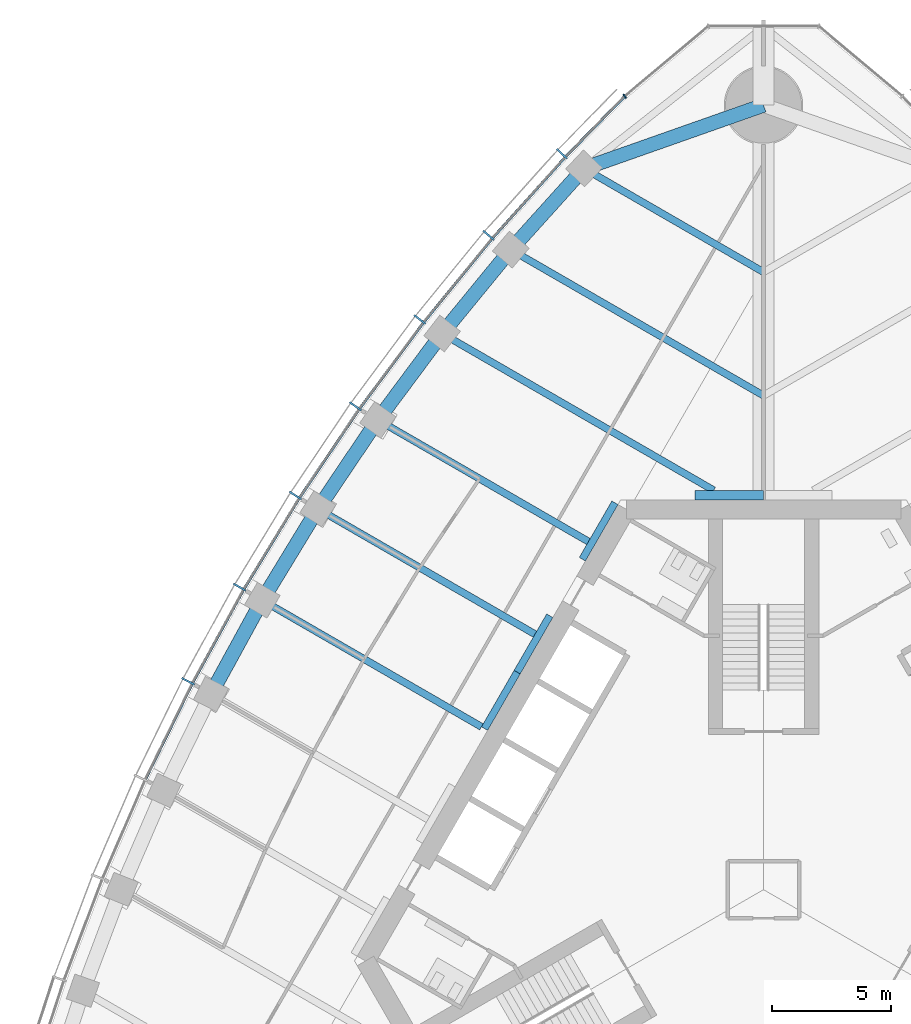
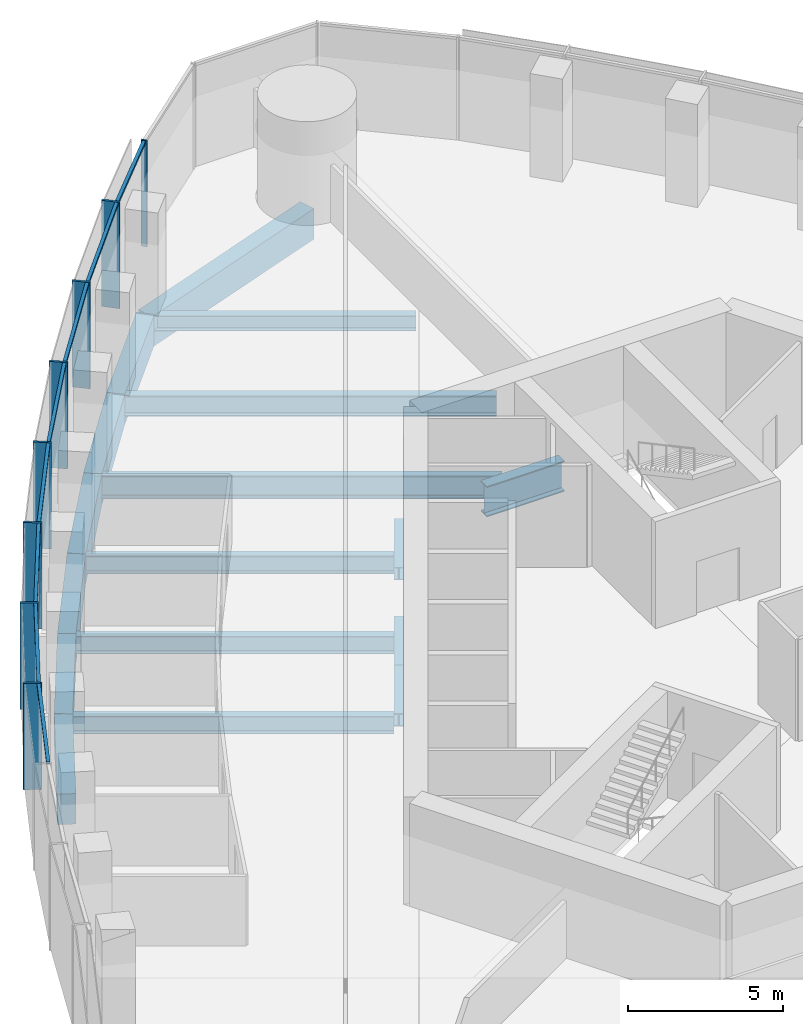
# One storey, part 5 of 20: 17 beams, 16 members, 2 elements without a shape of their own.
"""IFC4 building model written with IfcOpenShell, lengths in metres."""

from ifc_helpers import new_model, si_unit, direction, frame, origin, origin_2d, place, context, subcontext, project, spatial, rectangle, i_section, extrude, material, material_profile, profile_set, type_object, element, aggregate, save


model = new_model("IFC4")

# Units and contexts
model_context = context("Model", 3, precision=1e-05, world=origin(), true_north=direction((0.0, 1.0)))
body_context = subcontext(model_context, "Body", "Model", "MODEL_VIEW")
ifc_project = project(units=[si_unit("LENGTHUNIT", "METRE"), si_unit("AREAUNIT", "SQUARE_METRE"), si_unit("VOLUMEUNIT", "CUBIC_METRE"), si_unit("PLANEANGLEUNIT", "RADIAN"), si_unit("MASSUNIT", "GRAM", prefix="KILO")], contexts=[model_context])

# Site, building, storey
site_placement = place(None, origin())
site = spatial("IfcSite", under=ifc_project, at=site_placement, CompositionType="ELEMENT")
building_placement = place(site_placement, origin())
building = spatial("IfcBuilding", under=site, at=building_placement, Name="Trefoil Bronze Tower", CompositionType="ELEMENT")
storey_placement = place(building_placement, frame((0.0, 0.0, 214.89990234375)))
storey = spatial("IfcBuildingStorey", under=building, at=storey_placement, Name="L49", CompositionType="ELEMENT", Elevation=214.89990234375)

# Curtain wall, members
ifc_material_1 = material(Name="Tinted solar-control glass", Category="glass")
curtain_wall_type_1 = type_object("IfcCurtainWallType", Name="Bronze office curtain wall", PredefinedType="USERDEFINED", material=ifc_material_1)
curtain_wall_1_placement = place(storey_placement, origin())
curtain_wall_1 = element("IfcCurtainWall", 1, at=curtain_wall_1_placement, inside=storey, type_object=curtain_wall_type_1, Name="CW-A L49 F3", ObjectType="CURTAIN WALL", PredefinedType="USERDEFINED")
ifc_material_2 = material(Name="Bronze-finish aluminium", Category="aluminium")
ifc_material_profile_1 = material_profile(ifc_material_2, rectangle(XDim=0.60009765625, YDim=0.080078125, at=origin_2d()), Name="CW-A mullion")
ifc_profile_set_1 = profile_set([ifc_material_profile_1], Name="Bronze-finish aluminium")
member_type_1 = type_object("IfcMemberType", Name="Bronze office curtain wall mullion", PredefinedType="MULLION", material=ifc_profile_set_1)
member_1_placement = place(storey_placement, frame((-8.482177734375, 30.95654296875, 0.0), z_axis=(0.0, 0.0, 1.0), x_axis=(0.729859580661, -0.683597098091, 0.0)))
member_1 = element("IfcMember", 2, at=member_1_placement, type_object=member_type_1, Name="CW-A L49 F3 mullion 2", PredefinedType="MULLION", context=body_context, shape_type="SweptSolid", body=[
    extrude(rectangle(XDim=0.60009765625, YDim=0.080078125, at=origin_2d()), origin(), (0.0, 0.0, 1.0), 4.18017578125),
])
member_2_placement = place(storey_placement, frame((-11.564697265625, 27.525146484375, 0.0), z_axis=(0.0, 0.0, 1.0), x_axis=(0.75935470958, -0.650676897576, 0.0)))
member_2 = element("IfcMember", 3, at=member_2_placement, type_object=member_type_1, Name="CW-A L49 F3 mullion 3", PredefinedType="MULLION", context=body_context, shape_type="SweptSolid", body=[
    extrude(rectangle(XDim=0.60009765625, YDim=0.080078125, at=origin_2d()), origin(), (0.0, 0.0, 1.0), 4.18017578125),
])
member_3_placement = place(storey_placement, frame((-14.45849609375, 23.98388671875, 0.0), z_axis=(0.0, 0.0, 1.0), x_axis=(0.788821461078, -0.614622406476, 0.0)))
member_3 = element("IfcMember", 4, at=member_3_placement, type_object=member_type_1, Name="CW-A L49 F3 mullion 4", PredefinedType="MULLION", context=body_context, shape_type="SweptSolid", body=[
    extrude(rectangle(XDim=0.60009765625, YDim=0.080078125, at=origin_2d()), origin(), (0.0, 0.0, 1.0), 4.18017578125),
])
member_4_placement = place(storey_placement, frame((-17.167236328125, 20.335693359375, 0.0), z_axis=(0.0, 0.0, 1.0), x_axis=(0.81640398396, -0.577481198806, 0.0)))
member_4 = element("IfcMember", 5, at=member_4_placement, type_object=member_type_1, Name="CW-A L49 F3 mullion 5", PredefinedType="MULLION", context=body_context, shape_type="SweptSolid", body=[
    extrude(rectangle(XDim=0.60009765625, YDim=0.080078125, at=origin_2d()), origin(), (0.0, 0.0, 1.0), 4.18017578125),
])
member_5_placement = place(storey_placement, frame((-19.694091796875, 16.58251953125, 0.0), z_axis=(0.0, 0.0, 1.0), x_axis=(0.842132664593, -0.539270410114, 0.0)))
member_5 = element("IfcMember", 6, at=member_5_placement, type_object=member_type_1, Name="CW-A L49 F3 mullion 6", PredefinedType="MULLION", context=body_context, shape_type="SweptSolid", body=[
    extrude(rectangle(XDim=0.60009765625, YDim=0.080078125, at=origin_2d()), origin(), (0.0, 0.0, 1.0), 4.18017578125),
])
member_6_placement = place(storey_placement, frame((-22.041015625, 12.725341796875, 0.0), z_axis=(0.0, 0.0, 1.0), x_axis=(0.866025403784, -0.5, 0.0)))
member_6 = element("IfcMember", 7, at=member_6_placement, type_object=member_type_1, Name="CW-A L49 F3 mullion 7", PredefinedType="MULLION", context=body_context, shape_type="SweptSolid", body=[
    extrude(rectangle(XDim=0.60009765625, YDim=0.080078125, at=origin_2d()), origin(), (0.0, 0.0, 1.0), 4.18017578125),
])
member_7_placement = place(storey_placement, frame((-24.2080078125, 8.764404296875, 0.0), z_axis=(0.0, 0.0, 1.0), x_axis=(0.888088206965, -0.459673075837, 0.0)))
member_7 = element("IfcMember", 8, at=member_7_placement, type_object=member_type_1, Name="CW-A L49 F3 mullion 8", PredefinedType="MULLION", context=body_context, shape_type="SweptSolid", body=[
    extrude(rectangle(XDim=0.60009765625, YDim=0.080078125, at=origin_2d()), origin(), (0.0, 0.0, 1.0), 4.18017578125),
])
ifc_material_3 = material(Name="Bronze-finish aluminium", Category="aluminium")
ifc_material_profile_2 = material_profile(ifc_material_3, rectangle(XDim=0.1201171875, YDim=0.10009765625, at=origin_2d()), Name="CW-A transom")
ifc_profile_set_2 = profile_set([ifc_material_profile_2], Name="Bronze-finish aluminium")
member_type_2 = type_object("IfcMemberType", Name="Bronze office curtain wall transom", PredefinedType="USERDEFINED", material=ifc_profile_set_2)
member_8_placement = place(storey_placement, frame((-5.873046875, 33.342529296875, 4.130126953125), z_axis=(-0.698646935368, -0.715466602785, 0.0), x_axis=(0.715466602785, -0.698646935368, 0.0)))
member_8 = element("IfcMember", 9, at=member_8_placement, type_object=member_type_2, Name="CW-A L49 F3 transom 1", ObjectType="TRANSOM", PredefinedType="USERDEFINED", context=body_context, shape_type="SweptSolid", body=[
    extrude(rectangle(XDim=0.1201171875, YDim=0.10009765625, at=origin_2d()), origin(), (0.0, 0.0, 1.0), 3.483642578125),
])
member_9_placement = place(storey_placement, frame((-8.364501953125, 30.78857421875, 4.130126953125), z_axis=(-0.66825109551, -0.743935799213, 0.0), x_axis=(0.743935799213, -0.66825109551, 0.0)))
member_9 = element("IfcMember", 10, at=member_9_placement, type_object=member_type_2, Name="CW-A L49 F3 transom 2", ObjectType="TRANSOM", PredefinedType="USERDEFINED", context=body_context, shape_type="SweptSolid", body=[
    extrude(rectangle(XDim=0.1201171875, YDim=0.10009765625, at=origin_2d()), origin(), (0.0, 0.0, 1.0), 4.519287109375),
])
member_10_placement = place(storey_placement, frame((-11.439453125, 27.3623046875, 4.130126953125), z_axis=(-0.632756871921, -0.774350528531, 0.0), x_axis=(0.774350528531, -0.632756871921, 0.0)))
member_10 = element("IfcMember", 11, at=member_10_placement, type_object=member_type_2, Name="CW-A L49 F3 transom 3", ObjectType="TRANSOM", PredefinedType="USERDEFINED", context=body_context, shape_type="SweptSolid", body=[
    extrude(rectangle(XDim=0.1201171875, YDim=0.10009765625, at=origin_2d()), origin(), (0.0, 0.0, 1.0), 4.4794921875),
])
member_11_placement = place(storey_placement, frame((-14.325927734375, 23.826904296875, 4.130126953125), z_axis=(-0.59614822717, -0.802874393191, 0.0), x_axis=(0.802874393191, -0.59614822717, 0.0)))
member_11 = element("IfcMember", 12, at=member_11_placement, type_object=member_type_2, Name="CW-A L49 F3 transom 4", ObjectType="TRANSOM", PredefinedType="USERDEFINED", context=body_context, shape_type="SweptSolid", body=[
    extrude(rectangle(XDim=0.1201171875, YDim=0.10009765625, at=origin_2d()), origin(), (0.0, 0.0, 1.0), 4.449951171875),
])
member_12_placement = place(storey_placement, frame((-17.027587890625, 20.18505859375, 4.130126953125), z_axis=(-0.558509087547, -0.829498402125, 0.0), x_axis=(0.829498402125, -0.558509087547, 0.0)))
member_12 = element("IfcMember", 13, at=member_12_placement, type_object=member_type_2, Name="CW-A L49 F3 transom 5", ObjectType="TRANSOM", PredefinedType="USERDEFINED", context=body_context, shape_type="SweptSolid", body=[
    extrude(rectangle(XDim=0.1201171875, YDim=0.10009765625, at=origin_2d()), origin(), (0.0, 0.0, 1.0), 4.4306640625),
])
member_13_placement = place(storey_placement, frame((-19.5478515625, 16.4384765625, 4.130126953125), z_axis=(-0.519740214649, -0.854324358354, 0.0), x_axis=(0.854324358354, -0.519740214649, 0.0)))
member_13 = element("IfcMember", 14, at=member_13_placement, type_object=member_type_2, Name="CW-A L49 F3 transom 6", ObjectType="TRANSOM", PredefinedType="USERDEFINED", context=body_context, shape_type="SweptSolid", body=[
    extrude(rectangle(XDim=0.1201171875, YDim=0.10009765625, at=origin_2d()), origin(), (0.0, 0.0, 1.0), 4.421142578125),
])
member_14_placement = place(storey_placement, frame((-21.887939453125, 12.588134765625, 4.130126953125), z_axis=(-0.479973729071, -0.877282861683, 0.0), x_axis=(0.877282861683, -0.479973729071, 0.0)))
member_14 = element("IfcMember", 15, at=member_14_placement, type_object=member_type_2, Name="CW-A L49 F3 transom 7", ObjectType="TRANSOM", PredefinedType="USERDEFINED", context=body_context, shape_type="SweptSolid", body=[
    extrude(rectangle(XDim=0.1201171875, YDim=0.10009765625, at=origin_2d()), origin(), (0.0, 0.0, 1.0), 4.421142578125),
])
member_15_placement = place(storey_placement, frame((-24.048828125, 8.634521484375, 4.130126953125), z_axis=(-0.439150835991, -0.898413347657, 0.0), x_axis=(0.898413347657, -0.439150835991, 0.0)))
member_15 = element("IfcMember", 16, at=member_15_placement, type_object=member_type_2, Name="CW-A L49 F3 transom 8", ObjectType="TRANSOM", PredefinedType="USERDEFINED", context=body_context, shape_type="SweptSolid", body=[
    extrude(rectangle(XDim=0.1201171875, YDim=0.10009765625, at=origin_2d()), origin(), (0.0, 0.0, 1.0), 4.430908203125),
])
aggregate(curtain_wall_1, [member_1, member_2, member_3, member_4, member_5, member_6, member_7, member_8, member_9, member_10, member_11, member_12, member_13, member_14, member_15])

# Curtain wall, member
ifc_material_4 = material(Name="Tinted solar-control glass", Category="glass")
curtain_wall_type_2 = type_object("IfcCurtainWallType", Name="Bronze rounded corner curtain wall", PredefinedType="USERDEFINED", material=ifc_material_4)
curtain_wall_2_placement = place(storey_placement, origin())
curtain_wall_2 = element("IfcCurtainWall", 17, at=curtain_wall_2_placement, inside=storey, type_object=curtain_wall_type_2, Name="CW-B L49 K2", ObjectType="CURTAIN WALL", PredefinedType="USERDEFINED")
ifc_material_5 = material(Name="Bronze-finish aluminium", Category="aluminium")
ifc_material_profile_3 = material_profile(ifc_material_5, rectangle(XDim=0.199951171875, YDim=0.06005859375, at=origin_2d()), Name="CW-B mullion")
ifc_profile_set_3 = profile_set([ifc_material_profile_3], Name="Bronze-finish aluminium")
member_type_3 = type_object("IfcMemberType", Name="Bronze rounded corner curtain wall mullion", PredefinedType="MULLION", material=ifc_profile_set_3)
member_16_placement = place(storey_placement, frame((-5.837890625, 33.3779296875, 0.0), z_axis=(0.0, 0.0, 1.0), x_axis=(0.642787609687, -0.766044443119, 0.0)))
member_16 = element("IfcMember", 18, at=member_16_placement, type_object=member_type_3, Name="CW-B L49 K2 mullion 4", PredefinedType="MULLION", context=body_context, shape_type="SweptSolid", body=[
    extrude(rectangle(XDim=0.199951171875, YDim=0.06005859375, at=origin_2d()), origin(), (0.0, 0.0, 1.0), 4.18017578125),
])
aggregate(curtain_wall_2, [member_16])

# Beams
ifc_material_6 = material(Name="Steel C355", Category="steel")
ifc_material_profile_4 = material_profile(ifc_material_6, i_section(OverallWidth=0.300048828125, OverallDepth=0.5, WebThickness=0.014404296875, FlangeThickness=0.028076171875, FilletRadius=0.027099609375, at=origin_2d()), Name="HEB 500")
ifc_profile_set_4 = profile_set([ifc_material_profile_4], Name="Steel C355")
beam_type_1 = type_object("IfcBeamType", Name="Core seat beam HEB 500", PredefinedType="BEAM", material=ifc_profile_set_4)
for number, where, z_axis, x_axis, name in (
    (19, (-6.249755859375, 16.27490234375, -0.449951171875), (-0.500035825175, -0.866004719122, 0.0), (0.866004719122, -0.500035825175, 0.0), "Core seat beam F3/-2 L49"),
    (20, (-8.9921875, 11.52490234375, -0.449951171875), (-0.500035825175, -0.866004719122, 0.0), (0.866004719122, -0.500035825175, 0.0), "Core seat beam F3/-1 L49"),
    (21, (-10.363525390625, 9.14990234375, -0.449951171875), (-0.499969057507, -0.866043267704, 0.0), (0.866043267704, -0.499969057507, 0.0), "Core seat beam F3/+0 L49"),
):
    element("IfcBeam", number, at=place(storey_placement, frame(where, z_axis=z_axis, x_axis=x_axis)), inside=storey, type_object=beam_type_1, Name=name, PredefinedType="BEAM", context=body_context, shape_type="SweptSolid", body=[
        extrude(i_section(OverallWidth=0.300048828125, OverallDepth=0.5, WebThickness=0.014404296875, FlangeThickness=0.028076171875, FilletRadius=0.027099609375, at=origin_2d()), origin(), (0.0, 0.0, 1.0), 2.742431640625),
    ])
ifc_material_7 = material(Name="Steel C355", Category="steel")
ifc_material_profile_5 = material_profile(ifc_material_7, i_section(OverallWidth=0.39990234375, OverallDepth=1.199951171875, WebThickness=0.02001953125, FlangeThickness=0.0400390625, FilletRadius=0.010009765625, at=origin_2d()), Name="WPG 1200")
ifc_profile_set_5 = profile_set([ifc_material_profile_5], Name="Steel C355")
beam_type_2 = type_object("IfcBeamType", Name="Core seat beam WPG 1200", PredefinedType="BEAM", material=ifc_profile_set_5)
beam_1_placement = place(storey_placement, frame((0.0, 16.60009765625, -0.7998046875), z_axis=(-1.0, 0.0, 0.0), x_axis=(0.0, -1.0, 0.0)))
element("IfcBeam", 22, at=beam_1_placement, inside=storey, type_object=beam_type_2, Name="Core seat beam F3/-3 L49", PredefinedType="BEAM", context=body_context, shape_type="SweptSolid", body=[
    extrude(i_section(OverallWidth=0.39990234375, OverallDepth=1.199951171875, WebThickness=0.02001953125, FlangeThickness=0.0400390625, FilletRadius=0.010009765625, at=origin_2d()), origin(), (0.0, 0.0, 1.0), 2.88671875),
])
ifc_material_8 = material(Name="Concrete B80", Category="concrete")
ifc_material_profile_6 = material_profile(ifc_material_8, rectangle(XDim=0.60009765625, YDim=1.199951171875, at=origin_2d()), Name="RC 600x1200")
ifc_profile_set_6 = profile_set([ifc_material_profile_6], Name="Concrete B80")
beam_type_3 = type_object("IfcBeamType", Name="End spandrel beam RC 600x1200", PredefinedType="SPANDREL", material=ifc_profile_set_6)
beam_2_placement = place(storey_placement, frame((0.0, 33.0, -0.7998046875), z_axis=(-0.943234397359, -0.332127794137, 0.0), x_axis=(0.332127794137, -0.943234397359, 0.0)))
element("IfcBeam", 23, at=beam_2_placement, inside=storey, type_object=beam_type_3, Name="Spandrel F3.1 L49", PredefinedType="SPANDREL", context=body_context, shape_type="SweptSolid", body=[
    extrude(rectangle(XDim=0.60009765625, YDim=1.199951171875, at=origin_2d()), origin(), (0.0, 0.0, 1.0), 8.006591796875),
])
ifc_material_9 = material(Name="Steel C355", Category="steel")
ifc_material_profile_7 = material_profile(ifc_material_9, i_section(OverallWidth=0.300048828125, OverallDepth=0.590087890625, WebThickness=0.012939453125, FlangeThickness=0.02490234375, FilletRadius=0.027099609375, at=origin_2d()), Name="HEA 600")
ifc_profile_set_7 = profile_set([ifc_material_profile_7], Name="Steel C355")
beam_type_4 = type_object("IfcBeamType", Name="Floor beam HEA 600", PredefinedType="BEAM", material=ifc_profile_set_7)
beam_3_placement = place(storey_placement, frame((-7.552001953125, 30.3408203125, -0.494873046875), z_axis=(0.866027535932, -0.499996306993, 0.0), x_axis=(0.499996306993, 0.866027535932, 0.0)))
element("IfcBeam", 24, at=beam_3_placement, inside=storey, type_object=beam_type_4, Name="Floor beam F3/-5 L49", PredefinedType="BEAM", context=body_context, shape_type="SweptSolid", body=[
    extrude(i_section(OverallWidth=0.300048828125, OverallDepth=0.590087890625, WebThickness=0.012939453125, FlangeThickness=0.02490234375, FilletRadius=0.027099609375, at=origin_2d()), origin(), (0.0, 0.0, 1.0), 8.72021484375),
])
ifc_material_10 = material(Name="Steel C355", Category="steel")
ifc_material_profile_8 = material_profile(ifc_material_10, i_section(OverallWidth=0.300048828125, OverallDepth=0.699951171875, WebThickness=0.01708984375, FlangeThickness=0.031982421875, FilletRadius=0.027099609375, at=origin_2d()), Name="HEB 700")
ifc_profile_set_8 = profile_set([ifc_material_profile_8], Name="Steel C355")
beam_type_5 = type_object("IfcBeamType", Name="Floor beam HEB 700", PredefinedType="BEAM", material=ifc_profile_set_8)
beam_4_placement = place(storey_placement, frame((-16.2265625, 19.7607421875, -0.5498046875), z_axis=(0.866027856548, -0.499995751665, 0.0), x_axis=(0.499995751665, 0.866027856548, 0.0)))
element("IfcBeam", 25, at=beam_4_placement, inside=storey, type_object=beam_type_5, Name="Floor beam F3/-2 L49", PredefinedType="BEAM", context=body_context, shape_type="SweptSolid", body=[
    extrude(i_section(OverallWidth=0.300048828125, OverallDepth=0.699951171875, WebThickness=0.01708984375, FlangeThickness=0.031982421875, FilletRadius=0.027099609375, at=origin_2d()), origin(), (0.0, 0.0, 1.0), 10.23291015625),
])
beam_5_placement = place(storey_placement, frame((-18.748046875, 16.020263671875, -0.5498046875), z_axis=(0.866027918957, -0.499995643569, 0.0), x_axis=(0.499995643569, 0.866027918957, 0.0)))
element("IfcBeam", 26, at=beam_5_placement, inside=storey, type_object=beam_type_5, Name="Floor beam F3/-1 L49", PredefinedType="BEAM", context=body_context, shape_type="SweptSolid", body=[
    extrude(i_section(OverallWidth=0.300048828125, OverallDepth=0.699951171875, WebThickness=0.01708984375, FlangeThickness=0.031982421875, FilletRadius=0.027099609375, at=origin_2d()), origin(), (0.0, 0.0, 1.0), 10.54638671875),
])
beam_6_placement = place(storey_placement, frame((-21.08837890625, 12.17529296875, -0.5498046875), z_axis=(0.866034044198, -0.499985034066, 0.0), x_axis=(0.499985034066, 0.866034044198, 0.0)))
element("IfcBeam", 27, at=beam_6_placement, inside=storey, type_object=beam_type_5, Name="Floor beam F3/+0 L49", PredefinedType="BEAM", context=body_context, shape_type="SweptSolid", body=[
    extrude(i_section(OverallWidth=0.300048828125, OverallDepth=0.699951171875, WebThickness=0.01708984375, FlangeThickness=0.031982421875, FilletRadius=0.027099609375, at=origin_2d()), origin(), (0.0, 0.0, 1.0), 10.650634765625),
])
ifc_material_11 = material(Name="Steel C355", Category="steel")
ifc_material_profile_9 = material_profile(ifc_material_11, i_section(OverallWidth=0.300048828125, OverallDepth=0.800048828125, WebThickness=0.017578125, FlangeThickness=0.032958984375, FilletRadius=0.030029296875, at=origin_2d()), Name="HEB 800")
ifc_profile_set_9 = profile_set([ifc_material_profile_9], Name="Steel C355")
beam_type_6 = type_object("IfcBeamType", Name="Floor beam HEB 800", PredefinedType="BEAM", material=ifc_profile_set_9)
beam_7_placement = place(storey_placement, frame((-10.632080078125, 26.923095703125, -0.599853515625), z_axis=(0.866025635187, -0.499999599199, 0.0), x_axis=(0.499999599199, 0.866025635187, 0.0)))
element("IfcBeam", 28, at=beam_7_placement, inside=storey, type_object=beam_type_6, Name="Floor beam F3/-4 L49", PredefinedType="BEAM", context=body_context, shape_type="SweptSolid", body=[
    extrude(i_section(OverallWidth=0.300048828125, OverallDepth=0.800048828125, WebThickness=0.017578125, FlangeThickness=0.032958984375, FilletRadius=0.030029296875, at=origin_2d()), origin(), (0.0, 0.0, 1.0), 12.27685546875),
])
ifc_material_12 = material(Name="Steel C355", Category="steel")
ifc_material_profile_10 = material_profile(ifc_material_12, i_section(OverallWidth=0.300048828125, OverallDepth=0.89990234375, WebThickness=0.0185546875, FlangeThickness=0.034912109375, FilletRadius=0.030029296875, at=origin_2d()), Name="HEB 900")
ifc_profile_set_10 = profile_set([ifc_material_profile_10], Name="Steel C355")
beam_type_7 = type_object("IfcBeamType", Name="Floor beam HEB 900", PredefinedType="BEAM", material=ifc_profile_set_10)
beam_8_placement = place(storey_placement, frame((-13.522216796875, 23.3955078125, -0.64990234375), z_axis=(0.866028399451, -0.499994811317, 0.0), x_axis=(0.499994811317, 0.866028399451, 0.0)))
element("IfcBeam", 29, at=beam_8_placement, inside=storey, type_object=beam_type_7, Name="Floor beam F3/-3 L49", PredefinedType="BEAM", context=body_context, shape_type="SweptSolid", body=[
    extrude(i_section(OverallWidth=0.300048828125, OverallDepth=0.89990234375, WebThickness=0.0185546875, FlangeThickness=0.034912109375, FilletRadius=0.030029296875, at=origin_2d()), origin(), (0.0, 0.0, 1.0), 13.191162109375),
])
ifc_material_13 = material(Name="Concrete B80", Category="concrete")
ifc_material_profile_11 = material_profile(ifc_material_13, rectangle(XDim=0.60009765625, YDim=1.199951171875, at=origin_2d()), Name="RC 600x1200")
ifc_profile_set_11 = profile_set([ifc_material_profile_11], Name="Concrete B80")
beam_type_8 = type_object("IfcBeamType", Name="Spandrel beam RC 600x1200", PredefinedType="SPANDREL", material=ifc_profile_set_11)
beam_9_placement = place(storey_placement, frame((-7.552001953125, 30.3408203125, -0.7998046875), z_axis=(-0.669460045872, -0.742848064534, 0.0), x_axis=(0.742848064534, -0.669460045872, 0.0)))
element("IfcBeam", 30, at=beam_9_placement, inside=storey, type_object=beam_type_8, Name="Spandrel F3.2 L49", PredefinedType="SPANDREL", context=body_context, shape_type="SweptSolid", body=[
    extrude(rectangle(XDim=0.60009765625, YDim=1.199951171875, at=origin_2d()), origin(), (0.0, 0.0, 1.0), 4.600830078125),
])
beam_10_placement = place(storey_placement, frame((-10.632080078125, 26.923095703125, -0.7998046875), z_axis=(-0.633753657863, -0.773534938542, 0.0), x_axis=(0.773534938542, -0.633753657863, 0.0)))
element("IfcBeam", 31, at=beam_10_placement, inside=storey, type_object=beam_type_8, Name="Spandrel F3.3 L49", PredefinedType="SPANDREL", context=body_context, shape_type="SweptSolid", body=[
    extrude(rectangle(XDim=0.60009765625, YDim=1.199951171875, at=origin_2d()), origin(), (0.0, 0.0, 1.0), 4.560302734375),
])
beam_11_placement = place(storey_placement, frame((-13.522216796875, 23.3955078125, -0.7998046875), z_axis=(-0.596926078257, -0.802296240236, 0.0), x_axis=(0.802296240236, -0.596926078257, 0.0)))
element("IfcBeam", 32, at=beam_11_placement, inside=storey, type_object=beam_type_8, Name="Spandrel F3.4 L49", PredefinedType="SPANDREL", context=body_context, shape_type="SweptSolid", body=[
    extrude(rectangle(XDim=0.60009765625, YDim=1.199951171875, at=origin_2d()), origin(), (0.0, 0.0, 1.0), 4.530517578125),
])
beam_12_placement = place(storey_placement, frame((-16.2265625, 19.7607421875, -0.7998046875), z_axis=(-0.558964302753, -0.829191719838, 0.0), x_axis=(0.829191719838, -0.558964302753, 0.0)))
element("IfcBeam", 33, at=beam_12_placement, inside=storey, type_object=beam_type_8, Name="Spandrel F3.5 L49", PredefinedType="SPANDREL", context=body_context, shape_type="SweptSolid", body=[
    extrude(rectangle(XDim=0.60009765625, YDim=1.199951171875, at=origin_2d()), origin(), (0.0, 0.0, 1.0), 4.510986328125),
])
for number, where, z_axis, x_axis, name in (
    (34, (-18.748046875, 16.020263671875, -0.7998046875), (-0.519933181394, -0.854206934464, 0.0), (0.854206934464, -0.519933181394, 0.0), "Spandrel F3.6 L49"),
    (35, (-21.08837890625, 12.17529296875, -0.7998046875), (-0.479801903802, -0.87737684783, 0.0), (0.87737684783, -0.479801903802, 0.0), "Spandrel F3.7 L49"),
):
    element("IfcBeam", number, at=place(storey_placement, frame(where, z_axis=z_axis, x_axis=x_axis)), inside=storey, type_object=beam_type_8, Name=name, PredefinedType="SPANDREL", context=body_context, shape_type="SweptSolid", body=[
        extrude(rectangle(XDim=0.60009765625, YDim=1.199951171875, at=origin_2d()), origin(), (0.0, 0.0, 1.0), 4.501220703125),
    ])

save(model, "model.ifc")
